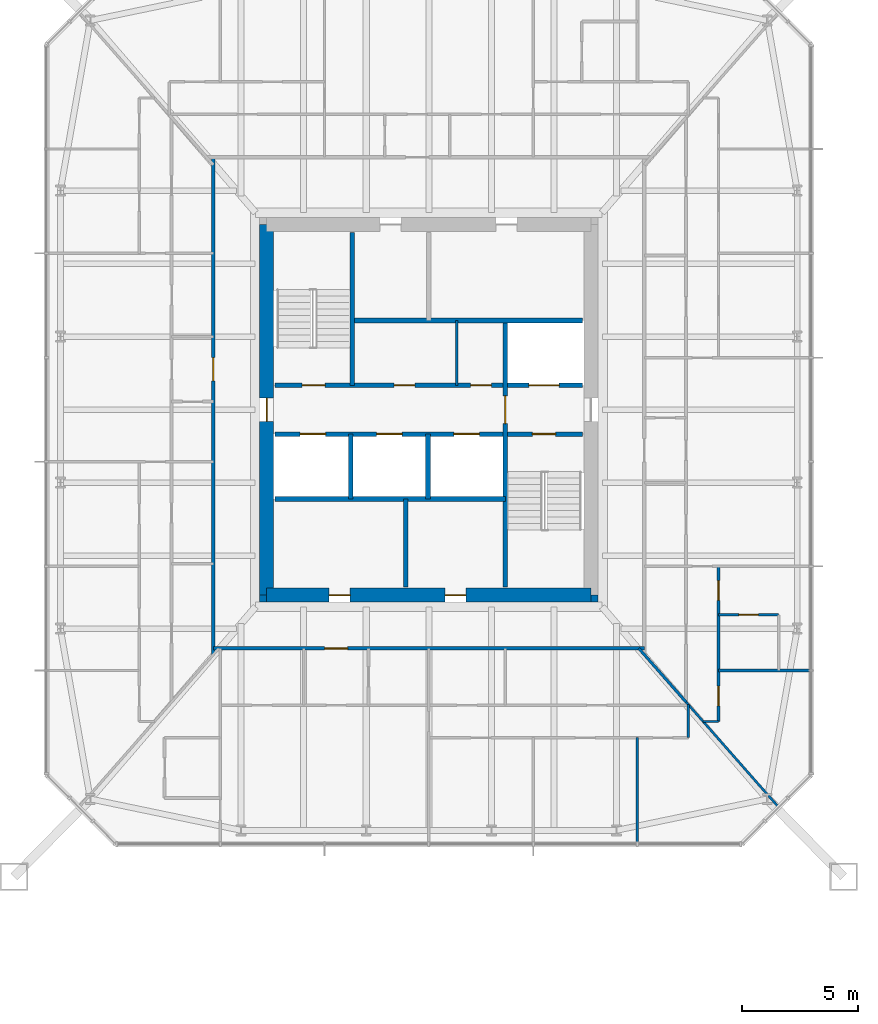
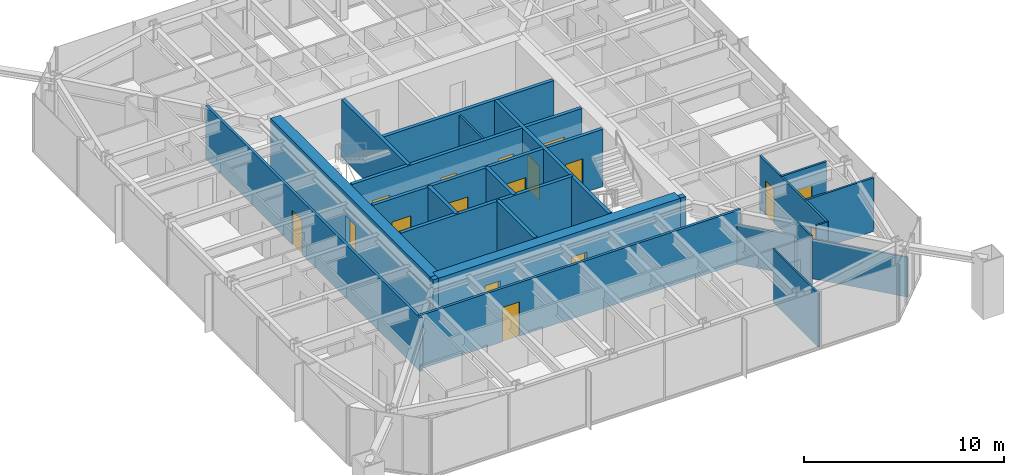
# One storey, part 19 of 26: 24 walls, 17 doors, 17 openings.
"""IFC4 building model written with IfcOpenShell, lengths in metres."""

from ifc_helpers import new_model, si_unit, direction, frame, frame_2d, origin, place, context, subcontext, project, spatial, rectangle, extrude, material, layer, layer_set, type_object, element, fill, save


model = new_model("IFC4")

# Units and contexts
model_context = context("Model", 3, precision=1e-05, world=origin(), true_north=direction((0.0, 1.0)))
body_context = subcontext(model_context, "Body", "Model", "MODEL_VIEW")
ifc_project = project(units=[si_unit("LENGTHUNIT", "METRE"), si_unit("AREAUNIT", "SQUARE_METRE"), si_unit("VOLUMEUNIT", "CUBIC_METRE"), si_unit("PLANEANGLEUNIT", "RADIAN"), si_unit("MASSUNIT", "GRAM", prefix="KILO")], contexts=[model_context])

# Site, building, storey
site_placement = place(None, origin())
site = spatial("IfcSite", under=ifc_project, at=site_placement, CompositionType="ELEMENT")
building_placement = place(site_placement, origin())
building = spatial("IfcBuilding", under=site, at=building_placement, Name="Iwan Alto Co-Living Towers", CompositionType="ELEMENT")
storey_placement = place(building_placement, frame((0.0, 0.0, 36.0)))
storey = spatial("IfcBuildingStorey", under=building, at=storey_placement, Name="L09", CompositionType="ELEMENT", Elevation=36.0)

# Wall, opening, door
ifc_material_1 = material(Name="Gypsum board")
ifc_layer_1 = layer(ifc_material_1, 0.02490234375, Name="Board", Category="Finish")
ifc_material_2 = material(Name="Steel ASTM A1003 ST33H cold-formed studs", Category="steel")
ifc_layer_2 = layer(ifc_material_2, 0.10009765625, Name="Studs", Category="Framing")
ifc_layer_3 = layer(ifc_material_1, 0.02490234375, Name="Board", Category="Finish")
ifc_layer_set_1 = layer_set([ifc_layer_1, ifc_layer_2, ifc_layer_3], Name="CORRIDOR WALL 150")
wall_type_1 = type_object("IfcWallType", Name="CORRIDOR WALL 150", PredefinedType="PARTITIONING", material=ifc_layer_set_1)
wall_1_placement = place(storey_placement, frame((53.699951171875, -10.300048828125, 0.0), z_axis=(0.0, 0.0, 1.0), x_axis=(1.0, 0.0, 0.0)))
wall_1 = element("IfcWall", 1, at=wall_1_placement, inside=storey, type_object=wall_type_1, Name="Partition L09", PredefinedType="PARTITIONING", context=body_context, shape_type="SweptSolid", body=[
    extrude(rectangle(XDim=18.60009765625, YDim=0.14990234375, at=frame_2d((9.300048828125, 0.0))), origin(), (0.0, 0.0, 1.0), 3.27001953125),
])
opening_1_placement = place(wall_1_placement, frame((4.800048828125, 0.0, 0.0)))
opening_1 = element("IfcOpeningElement", 2, at=opening_1_placement, cuts=wall_1, Name="Opening D3", PredefinedType="OPENING", context=body_context, shape_type="SweptSolid", body=[
    extrude(rectangle(XDim=1.0, YDim=2.10009765625, at=frame_2d((0.5, 1.050048828125))), frame((0.0, 0.0849609375, 0.0), z_axis=(0.0, -1.0, 0.0), x_axis=(1.0, 0.0, 0.0)), (0.0, 0.0, 1.0), 0.169921875),
])
ifc_material_3 = material(Name="Steel frame with timber leaf", Category="steel")
door_type_1 = type_object("IfcDoorType", Name="FLAT ENTRANCE DOOR FD30S 1000X2100", OperationType="SINGLE_SWING_LEFT", PredefinedType="DOOR", material=ifc_material_3)
door_1_placement = place(opening_1_placement, frame((1.0, 0.0, 0.0), z_axis=(0.0, 0.0, 1.0), x_axis=(-1.0, 0.0, 0.0)))
door_1 = element("IfcDoor", 3, at=door_1_placement, inside=storey, type_object=door_type_1, Name="Apartment foyer door L09", OperationType="SINGLE_SWING_RIGHT", OverallHeight=2.10009765625, OverallWidth=1.0, PredefinedType="DOOR", context=body_context, shape_type="SweptSolid", body=[
    extrude(rectangle(XDim=1.0, YDim=2.10009765625, at=frame_2d((0.5, 1.050048828125))), frame((0.0, 0.02490234375, 0.0), z_axis=(0.0, -1.0, 0.0), x_axis=(1.0, 0.0, 0.0)), (0.0, 0.0, 1.0), 0.050048828125),
])
fill(opening_1, door_1)

wall_2_placement = place(storey_placement, frame((53.699951171875, -10.568115234375, 0.0), z_axis=(0.0, 0.0, 1.0), x_axis=(0.0, 1.0, 0.0)))
wall_2 = element("IfcWall", 4, at=wall_2_placement, inside=storey, type_object=wall_type_1, Name="Partition L09", PredefinedType="PARTITIONING", context=body_context, shape_type="SweptSolid", body=[
    extrude(rectangle(XDim=21.468017578125, YDim=0.14990234375, at=frame_2d((10.73388671875, 0.0))), origin(), (0.0, 0.0, 1.0), 3.27001953125),
])
opening_2_placement = place(wall_2_placement, frame((11.818115234375, 0.0, 0.0)))
opening_2 = element("IfcOpeningElement", 5, at=opening_2_placement, cuts=wall_2, Name="Opening D3", PredefinedType="OPENING", context=body_context, shape_type="SweptSolid", body=[
    extrude(rectangle(XDim=1.0, YDim=2.10009765625, at=frame_2d((0.5, 1.050048828125))), frame((0.0, 0.0849609375, 0.0), z_axis=(0.0, -1.0, 0.0), x_axis=(1.0, 0.0, 0.0)), (0.0, 0.0, 1.0), 0.169921875),
])
door_2_placement = place(opening_2_placement, origin())
door_2 = element("IfcDoor", 6, at=door_2_placement, inside=storey, type_object=door_type_1, Name="Apartment foyer door L09", OperationType="SINGLE_SWING_LEFT", OverallHeight=2.10009765625, OverallWidth=1.0, PredefinedType="DOOR", context=body_context, shape_type="SweptSolid", body=[
    extrude(rectangle(XDim=1.0, YDim=2.10009765625, at=frame_2d((0.5, 1.050048828125))), frame((0.0, 0.02490234375, 0.0), z_axis=(0.0, -1.0, 0.0), x_axis=(1.0, 0.0, 0.0)), (0.0, 0.0, 1.0), 0.050048828125),
])
fill(opening_2, door_2)

# Walls
ifc_layer_4 = layer(ifc_material_1, 0.012451171875, Name="Board", Category="Finish")
ifc_layer_5 = layer(ifc_material_2, 0.074951171875, Name="Studs", Category="Framing")
ifc_layer_6 = layer(ifc_material_1, 0.012451171875, Name="Board", Category="Finish")
ifc_layer_set_2 = layer_set([ifc_layer_4, ifc_layer_5, ifc_layer_6], Name="PARTITION 100")
wall_type_2 = type_object("IfcWallType", Name="PARTITION 100", PredefinedType="PARTITIONING", material=ifc_layer_set_2)
wall_3_placement = place(storey_placement, frame((74.8359375, -13.449951171875, 0.0), z_axis=(0.0, 0.0, 1.0), x_axis=(1.0, 0.0, 0.0)))
element("IfcWall", 7, at=wall_3_placement, inside=storey, type_object=wall_type_2, Name="Partition L09", PredefinedType="PARTITIONING", context=body_context, shape_type="SweptSolid", body=[
    extrude(rectangle(XDim=0.6640625, YDim=0.10009765625, at=frame_2d((0.33203125, 0.0))), origin(), (0.0, 0.0, 1.0), 3.27001953125),
])
wall_4_placement = place(storey_placement, frame((74.199951171875, -14.14990234375, 0.0), z_axis=(0.0, 0.0, 1.0), x_axis=(0.0, 1.0, 0.0)))
element("IfcWall", 8, at=wall_4_placement, inside=storey, type_object=wall_type_2, Name="Partition L09", PredefinedType="PARTITIONING", context=body_context, shape_type="SweptSolid", body=[
    extrude(rectangle(XDim=1.4228515625, YDim=0.10009765625, at=frame_2d((0.71142578125, 0.0))), origin(), (0.0, 0.0, 1.0), 3.27001953125),
])
wall_5_placement = place(storey_placement, frame((72.0, -18.68994140625, 0.0), z_axis=(0.0, 0.0, 1.0), x_axis=(0.0, 1.0, 0.0)))
element("IfcWall", 9, at=wall_5_placement, inside=storey, type_object=wall_type_2, Name="Partition L09", PredefinedType="PARTITIONING", context=body_context, shape_type="SweptSolid", body=[
    extrude(rectangle(XDim=4.5400390625, YDim=0.10009765625, at=frame_2d((2.27001953125, 0.0))), origin(), (0.0, 0.0, 1.0), 3.27001953125),
])
wall_6_placement = place(storey_placement, frame((64.199951171875, 1.050048828125, 0.0), z_axis=(0.0, 0.0, 1.0), x_axis=(0.0, 1.0, 0.0)))
element("IfcWall", 10, at=wall_6_placement, inside=storey, type_object=wall_type_2, Name="Partition L09", PredefinedType="PARTITIONING", context=body_context, shape_type="SweptSolid", body=[
    extrude(rectangle(XDim=2.800048828125, YDim=0.10009765625, at=frame_2d((1.39990234375, 0.0))), origin(), (0.0, 0.0, 1.0), 3.300048828125),
])
wall_7_placement = place(storey_placement, frame((78.056884765625, -17.10888671875, 0.0), z_axis=(0.0, 0.0, 1.0), x_axis=(-0.660775837956, 0.750583301156, 0.0)))
element("IfcWall", 11, at=wall_7_placement, inside=storey, type_object=wall_type_2, Name="Partition L09", PredefinedType="PARTITIONING", context=body_context, shape_type="SweptSolid", body=[
    extrude(rectangle(XDim=5.98876953125, YDim=0.10009765625, at=frame_2d((2.994384765625, 0.0))), origin(), (0.0, 0.0, 1.0), 2.42919921875),
])
ifc_material_4 = material(Name="Concrete f'c 70 MPa", Category="concrete")
ifc_layer_7 = layer(ifc_material_4, 0.199951171875)
ifc_layer_set_3 = layer_set([ifc_layer_7], Name="SHAFT WALL 200")
wall_type_3 = type_object("IfcWallType", Name="SHAFT WALL 200", PredefinedType="SOLIDWALL", material=ifc_layer_set_3)
wall_8_placement = place(storey_placement, frame((56.360107421875, -3.85009765625, 0.0), z_axis=(0.0, 0.0, 1.0), x_axis=(1.0, 0.0, 0.0)))
element("IfcWall", 12, at=wall_8_placement, inside=storey, type_object=wall_type_3, Name="Shaft wall L09", PredefinedType="SOLIDWALL", context=body_context, shape_type="SweptSolid", body=[
    extrude(rectangle(XDim=9.93994140625, YDim=0.199951171875, at=frame_2d((4.969970703125, 0.0))), origin(), (0.0, 0.0, 1.0), 3.5),
])

# Wall, openings, doors
wall_9_placement = place(storey_placement, frame((56.360107421875, -1.050048828125, 0.0), z_axis=(0.0, 0.0, 1.0), x_axis=(1.0, 0.0, 0.0)))
wall_9 = element("IfcWall", 13, at=wall_9_placement, inside=storey, type_object=wall_type_3, Name="Shaft wall L09", PredefinedType="SOLIDWALL", context=body_context, shape_type="SweptSolid", body=[
    extrude(rectangle(XDim=13.27978515625, YDim=0.199951171875, at=frame_2d((6.639892578125, 0.0))), origin(), (0.0, 0.0, 1.0), 3.5),
])
opening_3_placement = place(wall_9_placement, frame((11.110107421875, 0.0, 0.0)))
opening_3 = element("IfcOpeningElement", 14, at=opening_3_placement, cuts=wall_9, Name="Opening D5", PredefinedType="OPENING", context=body_context, shape_type="SweptSolid", body=[
    extrude(rectangle(XDim=1.0, YDim=2.10009765625, at=frame_2d((0.5, 1.050048828125))), frame((0.0, 0.10986328125, 0.0), z_axis=(0.0, -1.0, 0.0), x_axis=(1.0, 0.0, 0.0)), (0.0, 0.0, 1.0), 0.219970703125),
])
opening_4_placement = place(wall_9_placement, frame((1.0869140625, 0.0, 0.0)))
opening_4 = element("IfcOpeningElement", 15, at=opening_4_placement, cuts=wall_9, Name="Opening LD", PredefinedType="OPENING", context=body_context, shape_type="SweptSolid", body=[
    extrude(rectangle(XDim=1.10009765625, YDim=2.10009765625, at=frame_2d((0.550048828125, 1.050048828125))), frame((0.0, 0.10986328125, 0.0), z_axis=(0.0, -1.0, 0.0), x_axis=(1.0, 0.0, 0.0)), (0.0, 0.0, 1.0), 0.219970703125),
])
opening_5_placement = place(wall_9_placement, frame((4.389892578125, 0.0, 0.0)))
opening_5 = element("IfcOpeningElement", 16, at=opening_5_placement, cuts=wall_9, Name="Opening LD", PredefinedType="OPENING", context=body_context, shape_type="SweptSolid", body=[
    extrude(rectangle(XDim=1.10009765625, YDim=2.10009765625, at=frame_2d((0.550048828125, 1.050048828125))), frame((0.0, 0.10986328125, 0.0), z_axis=(0.0, -1.0, 0.0), x_axis=(1.0, 0.0, 0.0)), (0.0, 0.0, 1.0), 0.219970703125),
])
opening_6_placement = place(wall_9_placement, frame((7.72412109375, 0.0, 0.0)))
opening_6 = element("IfcOpeningElement", 17, at=opening_6_placement, cuts=wall_9, Name="Opening LD", PredefinedType="OPENING", context=body_context, shape_type="SweptSolid", body=[
    extrude(rectangle(XDim=1.10009765625, YDim=2.10009765625, at=frame_2d((0.550048828125, 1.050048828125))), frame((0.0, 0.10986328125, 0.0), z_axis=(0.0, -1.0, 0.0), x_axis=(1.0, 0.0, 0.0)), (0.0, 0.0, 1.0), 0.219970703125),
])
ifc_material_5 = material(Name="Steel frame with timber leaf", Category="steel")
door_type_2 = type_object("IfcDoorType", Name="LIFT LANDING DOOR 1100X2100", OperationType="DOUBLE_DOOR_SLIDING", PredefinedType="DOOR", material=ifc_material_5)
door_3_placement = place(opening_4_placement, origin())
door_3 = element("IfcDoor", 18, at=door_3_placement, inside=storey, type_object=door_type_2, Name="Lift P5-1 landing door L09", OperationType="DOUBLE_DOOR_SLIDING", OverallHeight=2.10009765625, OverallWidth=1.10009765625, PredefinedType="DOOR", context=body_context, shape_type="SweptSolid", body=[
    extrude(rectangle(XDim=1.10009765625, YDim=2.10009765625, at=frame_2d((0.550048828125, 1.050048828125))), frame((0.0, 0.02490234375, 0.0), z_axis=(0.0, -1.0, 0.0), x_axis=(1.0, 0.0, 0.0)), (0.0, 0.0, 1.0), 0.050048828125),
])
fill(opening_4, door_3)
door_4_placement = place(opening_5_placement, origin())
door_4 = element("IfcDoor", 19, at=door_4_placement, inside=storey, type_object=door_type_2, Name="Lift P5-2 landing door L09", OperationType="DOUBLE_DOOR_SLIDING", OverallHeight=2.10009765625, OverallWidth=1.10009765625, PredefinedType="DOOR", context=body_context, shape_type="SweptSolid", body=[
    extrude(rectangle(XDim=1.10009765625, YDim=2.10009765625, at=frame_2d((0.550048828125, 1.050048828125))), frame((0.0, 0.02490234375, 0.0), z_axis=(0.0, -1.0, 0.0), x_axis=(1.0, 0.0, 0.0)), (0.0, 0.0, 1.0), 0.050048828125),
])
fill(opening_5, door_4)
door_5_placement = place(opening_6_placement, origin())
door_5 = element("IfcDoor", 20, at=door_5_placement, inside=storey, type_object=door_type_2, Name="Lift P6-3 landing door L09", OperationType="DOUBLE_DOOR_SLIDING", OverallHeight=2.10009765625, OverallWidth=1.10009765625, PredefinedType="DOOR", context=body_context, shape_type="SweptSolid", body=[
    extrude(rectangle(XDim=1.10009765625, YDim=2.10009765625, at=frame_2d((0.550048828125, 1.050048828125))), frame((0.0, 0.02490234375, 0.0), z_axis=(0.0, -1.0, 0.0), x_axis=(1.0, 0.0, 0.0)), (0.0, 0.0, 1.0), 0.050048828125),
])
fill(opening_6, door_5)
ifc_material_6 = material(Name="Steel frame with timber leaf", Category="steel")
door_type_3 = type_object("IfcDoorType", Name="STAIR DOOR FD120S 1000X2100", OperationType="SINGLE_SWING_LEFT", PredefinedType="DOOR", material=ifc_material_6)
door_6_placement = place(opening_3_placement, frame((1.0, 0.0, 0.0), z_axis=(0.0, 0.0, 1.0), x_axis=(-1.0, 0.0, 0.0)))
door_6 = element("IfcDoor", 21, at=door_6_placement, inside=storey, type_object=door_type_3, Name="Stair S2 door L09", OperationType="SINGLE_SWING_RIGHT", OverallHeight=2.10009765625, OverallWidth=1.0, PredefinedType="DOOR", context=body_context, shape_type="SweptSolid", body=[
    extrude(rectangle(XDim=1.0, YDim=2.10009765625, at=frame_2d((0.5, 1.050048828125))), frame((0.0, 0.02490234375, 0.0), z_axis=(0.0, -1.0, 0.0), x_axis=(1.0, 0.0, 0.0)), (0.0, 0.0, 1.0), 0.050048828125),
])
fill(opening_3, door_6)

wall_10_placement = place(storey_placement, frame((56.360107421875, 1.050048828125, 0.0), z_axis=(0.0, 0.0, 1.0), x_axis=(1.0, 0.0, 0.0)))
wall_10 = element("IfcWall", 22, at=wall_10_placement, inside=storey, type_object=wall_type_3, Name="Shaft wall L09", PredefinedType="SOLIDWALL", context=body_context, shape_type="SweptSolid", body=[
    extrude(rectangle(XDim=13.27978515625, YDim=0.199951171875, at=frame_2d((6.639892578125, 0.0))), origin(), (0.0, 0.0, 1.0), 3.5),
])
opening_7_placement = place(wall_10_placement, frame((1.169921875, 0.0, 0.0)))
opening_7 = element("IfcOpeningElement", 23, at=opening_7_placement, cuts=wall_10, Name="Opening D5", PredefinedType="OPENING", context=body_context, shape_type="SweptSolid", body=[
    extrude(rectangle(XDim=1.0, YDim=2.10009765625, at=frame_2d((0.5, 1.050048828125))), frame((0.0, 0.10986328125, 0.0), z_axis=(0.0, -1.0, 0.0), x_axis=(1.0, 0.0, 0.0)), (0.0, 0.0, 1.0), 0.219970703125),
])
opening_8_placement = place(wall_10_placement, frame((5.139892578125, 0.0, 0.0)))
opening_8 = element("IfcOpeningElement", 24, at=opening_8_placement, cuts=wall_10, Name="Opening D8", PredefinedType="OPENING", context=body_context, shape_type="SweptSolid", body=[
    extrude(rectangle(XDim=0.89990234375, YDim=2.10009765625, at=frame_2d((0.449951171875, 1.050048828125))), frame((0.0, 0.10986328125, 0.0), z_axis=(0.0, -1.0, 0.0), x_axis=(1.0, 0.0, 0.0)), (0.0, 0.0, 1.0), 0.219970703125),
])
opening_9_placement = place(wall_10_placement, frame((8.43994140625, 0.0, 0.0)))
opening_9 = element("IfcOpeningElement", 25, at=opening_9_placement, cuts=wall_10, Name="Opening D15", PredefinedType="OPENING", context=body_context, shape_type="SweptSolid", body=[
    extrude(rectangle(XDim=0.89990234375, YDim=2.10009765625, at=frame_2d((0.449951171875, 1.050048828125))), frame((0.0, 0.10986328125, 0.0), z_axis=(0.0, -1.0, 0.0), x_axis=(1.0, 0.0, 0.0)), (0.0, 0.0, 1.0), 0.219970703125),
])
opening_10_placement = place(wall_10_placement, frame((10.9599609375, 0.0, 0.0)))
opening_10 = element("IfcOpeningElement", 26, at=opening_10_placement, cuts=wall_10, Name="Opening LD2", PredefinedType="OPENING", context=body_context, shape_type="SweptSolid", body=[
    extrude(rectangle(XDim=1.300048828125, YDim=2.10009765625, at=frame_2d((0.64990234375, 1.050048828125))), frame((0.0, 0.10986328125, 0.0), z_axis=(0.0, -1.0, 0.0), x_axis=(1.0, 0.0, 0.0)), (0.0, 0.0, 1.0), 0.219970703125),
])
ifc_material_7 = material(Name="Steel frame with timber leaf", Category="steel")
door_type_4 = type_object("IfcDoorType", Name="CORE ROOM DOOR FD60S 900X2100", OperationType="SINGLE_SWING_LEFT", PredefinedType="DOOR", material=ifc_material_7)
door_7_placement = place(opening_9_placement, origin())
door_7 = element("IfcDoor", 27, at=door_7_placement, inside=storey, type_object=door_type_4, Name="Housekeeping store door L09", OperationType="SINGLE_SWING_LEFT", OverallHeight=2.10009765625, OverallWidth=0.89990234375, PredefinedType="DOOR", context=body_context, shape_type="SweptSolid", body=[
    extrude(rectangle(XDim=0.89990234375, YDim=2.10009765625, at=frame_2d((0.449951171875, 1.050048828125))), frame((0.0, 0.02490234375, 0.0), z_axis=(0.0, -1.0, 0.0), x_axis=(1.0, 0.0, 0.0)), (0.0, 0.0, 1.0), 0.050048828125),
])
fill(opening_9, door_7)
ifc_material_8 = material(Name="Steel frame with timber leaf", Category="steel")
door_type_5 = type_object("IfcDoorType", Name="LIFT LANDING DOOR 1300X2100", OperationType="SLIDING_TO_LEFT", PredefinedType="DOOR", material=ifc_material_8)
door_8_placement = place(opening_10_placement, origin())
door_8 = element("IfcDoor", 28, at=door_8_placement, inside=storey, type_object=door_type_5, Name="Lift FL2 landing door L09", OperationType="SLIDING_TO_LEFT", OverallHeight=2.10009765625, OverallWidth=1.300048828125, PredefinedType="DOOR", context=body_context, shape_type="SweptSolid", body=[
    extrude(rectangle(XDim=1.300048828125, YDim=2.10009765625, at=frame_2d((0.64990234375, 1.050048828125))), frame((0.0, 0.02490234375, 0.0), z_axis=(0.0, -1.0, 0.0), x_axis=(1.0, 0.0, 0.0)), (0.0, 0.0, 1.0), 0.050048828125),
])
fill(opening_10, door_8)
ifc_material_9 = material(Name="Steel frame with timber leaf", Category="steel")
door_type_6 = type_object("IfcDoorType", Name="RISER DOOR FD120 900X2100", OperationType="SINGLE_SWING_LEFT", PredefinedType="DOOR", material=ifc_material_9)
door_9_placement = place(opening_8_placement, origin())
door_9 = element("IfcDoor", 29, at=door_9_placement, inside=storey, type_object=door_type_6, Name="Riser room door L09", OperationType="SINGLE_SWING_LEFT", OverallHeight=2.10009765625, OverallWidth=0.89990234375, PredefinedType="DOOR", context=body_context, shape_type="SweptSolid", body=[
    extrude(rectangle(XDim=0.89990234375, YDim=2.10009765625, at=frame_2d((0.449951171875, 1.050048828125))), frame((0.0, 0.02490234375, 0.0), z_axis=(0.0, -1.0, 0.0), x_axis=(1.0, 0.0, 0.0)), (0.0, 0.0, 1.0), 0.050048828125),
])
fill(opening_8, door_9)
door_10_placement = place(opening_7_placement, origin())
door_10 = element("IfcDoor", 30, at=door_10_placement, inside=storey, type_object=door_type_3, Name="Stair S1 door L09", OperationType="SINGLE_SWING_RIGHT", OverallHeight=2.10009765625, OverallWidth=1.0, PredefinedType="DOOR", context=body_context, shape_type="SweptSolid", body=[
    extrude(rectangle(XDim=1.0, YDim=2.10009765625, at=frame_2d((0.5, 1.050048828125))), frame((0.0, 0.02490234375, 0.0), z_axis=(0.0, -1.0, 0.0), x_axis=(1.0, 0.0, 0.0)), (0.0, 0.0, 1.0), 0.050048828125),
])
fill(opening_7, door_10)

# Wall
wall_11_placement = place(storey_placement, frame((59.699951171875, 3.85009765625, 0.0), z_axis=(0.0, 0.0, 1.0), x_axis=(1.0, 0.0, 0.0)))
element("IfcWall", 31, at=wall_11_placement, inside=storey, type_object=wall_type_3, Name="Shaft wall L09", PredefinedType="SOLIDWALL", context=body_context, shape_type="SweptSolid", body=[
    extrude(rectangle(XDim=9.93994140625, YDim=0.199951171875, at=frame_2d((4.969970703125, 0.0))), origin(), (0.0, 0.0, 1.0), 3.5),
])

# Wall, opening, door
wall_12_placement = place(storey_placement, frame((66.300048828125, -7.639892578125, 0.0), z_axis=(0.0, 0.0, 1.0), x_axis=(0.0, 1.0, 0.0)))
wall_12 = element("IfcWall", 32, at=wall_12_placement, inside=storey, type_object=wall_type_3, Name="Shaft wall L09", PredefinedType="SOLIDWALL", context=body_context, shape_type="SweptSolid", body=[
    extrude(rectangle(XDim=11.489990234375, YDim=0.199951171875, at=frame_2d((5.7451171875, 0.0))), origin(), (0.0, 0.0, 1.0), 3.5),
])
opening_11_placement = place(wall_12_placement, frame((7.0400390625, 0.0, 0.0)))
opening_11 = element("IfcOpeningElement", 33, at=opening_11_placement, cuts=wall_12, Name="Opening D6", PredefinedType="OPENING", context=body_context, shape_type="SweptSolid", body=[
    extrude(rectangle(XDim=1.199951171875, YDim=2.10009765625, at=frame_2d((0.60009765625, 1.050048828125))), frame((0.0, 0.10986328125, 0.0), z_axis=(0.0, -1.0, 0.0), x_axis=(1.0, 0.0, 0.0)), (0.0, 0.0, 1.0), 0.219970703125),
])
ifc_material_10 = material(Name="Steel frame with timber leaf", Category="steel")
door_type_7 = type_object("IfcDoorType", Name="LOBBY DOOR FD120S 1200X2100", OperationType="SINGLE_SWING_LEFT", PredefinedType="DOOR", material=ifc_material_10)
door_11_placement = place(opening_11_placement, frame((1.199951171875, 0.0, 0.0), z_axis=(0.0, 0.0, 1.0), x_axis=(-1.0, 0.0, 0.0)))
door_11 = element("IfcDoor", 34, at=door_11_placement, inside=storey, type_object=door_type_7, Name="Firefighting lobby door L09", OperationType="SINGLE_SWING_RIGHT", OverallHeight=2.10009765625, OverallWidth=1.199951171875, PredefinedType="DOOR", context=body_context, shape_type="SweptSolid", body=[
    extrude(rectangle(XDim=1.199951171875, YDim=2.10009765625, at=frame_2d((0.60009765625, 1.050048828125))), frame((0.0, 0.02490234375, 0.0), z_axis=(0.0, -1.0, 0.0), x_axis=(1.0, 0.0, 0.0)), (0.0, 0.0, 1.0), 0.050048828125),
])
fill(opening_11, door_11)

# Walls
wall_13_placement = place(storey_placement, frame((62.967041015625, -3.85009765625, 0.0), z_axis=(0.0, 0.0, 1.0), x_axis=(0.0, 1.0, 0.0)))
element("IfcWall", 35, at=wall_13_placement, inside=storey, type_object=wall_type_3, Name="Shaft wall L09", PredefinedType="SOLIDWALL", context=body_context, shape_type="SweptSolid", body=[
    extrude(rectangle(XDim=2.800048828125, YDim=0.199951171875, at=frame_2d((1.39990234375, 0.0))), origin(), (0.0, 0.0, 1.0), 3.5),
])
wall_14_placement = place(storey_placement, frame((62.0, -7.639892578125, 0.0), z_axis=(0.0, 0.0, 1.0), x_axis=(0.0, 1.0, 0.0)))
element("IfcWall", 36, at=wall_14_placement, inside=storey, type_object=wall_type_3, Name="Shaft wall L09", PredefinedType="SOLIDWALL", context=body_context, shape_type="SweptSolid", body=[
    extrude(rectangle(XDim=3.789794921875, YDim=0.199951171875, at=frame_2d((1.89501953125, 0.0))), origin(), (0.0, 0.0, 1.0), 3.5),
])
wall_15_placement = place(storey_placement, frame((59.699951171875, 1.050048828125, 0.0), z_axis=(0.0, 0.0, 1.0), x_axis=(0.0, 1.0, 0.0)))
element("IfcWall", 37, at=wall_15_placement, inside=storey, type_object=wall_type_3, Name="Shaft wall L09", PredefinedType="SOLIDWALL", context=body_context, shape_type="SweptSolid", body=[
    extrude(rectangle(XDim=6.58984375, YDim=0.199951171875, at=frame_2d((3.294921875, 0.0))), origin(), (0.0, 0.0, 1.0), 3.5),
])
wall_16_placement = place(storey_placement, frame((59.633056640625, -3.85009765625, 0.0), z_axis=(0.0, 0.0, 1.0), x_axis=(0.0, 1.0, 0.0)))
element("IfcWall", 38, at=wall_16_placement, inside=storey, type_object=wall_type_3, Name="Shaft wall L09", PredefinedType="SOLIDWALL", context=body_context, shape_type="SweptSolid", body=[
    extrude(rectangle(XDim=2.800048828125, YDim=0.199951171875, at=frame_2d((1.39990234375, 0.0))), origin(), (0.0, 0.0, 1.0), 3.5),
])
ifc_material_11 = material(Name="Concrete f'c 70 MPa", Category="concrete")
ifc_layer_8 = layer(ifc_material_11, 0.300048828125)
ifc_layer_set_4 = layer_set([ifc_layer_8], Name="T2 CORE CORNER FILL 300")
wall_type_4 = type_object("IfcWallType", Name="T2 CORE CORNER FILL 300", PredefinedType="SOLIDWALL", material=ifc_layer_set_4)
for number, where, z_axis, x_axis, name in (
    (39, (55.699951171875, -8.14990234375, 0.0), (0.0, 0.0, 1.0), (1.0, 0.0, 0.0), "T2 core corner SW L09"),
    (40, (70.0, -8.14990234375, 0.0), (0.0, 0.0, 1.0), (1.0, 0.0, 0.0), "T2 core corner SE L09"),
):
    element("IfcWall", number, at=place(storey_placement, frame(where, z_axis=z_axis, x_axis=x_axis)), inside=storey, type_object=wall_type_4, Name=name, PredefinedType="SOLIDWALL", context=body_context, shape_type="SweptSolid", body=[
        extrude(rectangle(XDim=0.300048828125, YDim=0.300048828125, at=frame_2d((0.14990234375, 0.0))), origin(), (0.0, 0.0, 1.0), 3.5),
    ])

# Wall, openings, doors
ifc_material_12 = material(Name="Concrete f'c 70 MPa", Category="concrete")
ifc_layer_9 = layer(ifc_material_12, 0.60009765625)
ifc_layer_set_5 = layer_set([ifc_layer_9], Name="T2 CORE WALL 600")
wall_type_5 = type_object("IfcWallType", Name="T2 CORE WALL 600", PredefinedType="SHEAR", material=ifc_layer_set_5)
wall_17_placement = place(storey_placement, frame((56.0, -8.0, 0.0), z_axis=(0.0, 0.0, 1.0), x_axis=(1.0, 0.0, 0.0)))
wall_17 = element("IfcWall", 41, at=wall_17_placement, inside=storey, type_object=wall_type_5, Name="T2 core wall S L09", PredefinedType="SHEAR", context=body_context, shape_type="SweptSolid", body=[
    extrude(rectangle(XDim=14.0, YDim=0.60009765625, at=frame_2d((7.0, 0.0))), origin(), (0.0, 0.0, 1.0), 3.5),
])
opening_12_placement = place(wall_17_placement, frame((2.699951171875, 0.0, 0.0)))
opening_12 = element("IfcOpeningElement", 42, at=opening_12_placement, cuts=wall_17, Name="Opening D8", PredefinedType="OPENING", context=body_context, shape_type="SweptSolid", body=[
    extrude(rectangle(XDim=0.89990234375, YDim=2.10009765625, at=frame_2d((0.449951171875, 1.050048828125))), frame((0.0, 0.31005859375, 0.0), z_axis=(0.0, -1.0, 0.0), x_axis=(1.0, 0.0, 0.0)), (0.0, 0.0, 1.0), 0.6201171875),
])
opening_13_placement = place(wall_17_placement, frame((7.699951171875, 0.0, 0.0)))
opening_13 = element("IfcOpeningElement", 43, at=opening_13_placement, cuts=wall_17, Name="Opening D8", PredefinedType="OPENING", context=body_context, shape_type="SweptSolid", body=[
    extrude(rectangle(XDim=0.89990234375, YDim=2.10009765625, at=frame_2d((0.449951171875, 1.050048828125))), frame((0.0, 0.31005859375, 0.0), z_axis=(0.0, -1.0, 0.0), x_axis=(1.0, 0.0, 0.0)), (0.0, 0.0, 1.0), 0.6201171875),
])
door_12_placement = place(opening_12_placement, origin())
door_12 = element("IfcDoor", 44, at=door_12_placement, inside=storey, type_object=door_type_6, Name="Refuse room core door L09", OperationType="SINGLE_SWING_LEFT", OverallHeight=2.10009765625, OverallWidth=0.89990234375, PredefinedType="DOOR", context=body_context, shape_type="SweptSolid", body=[
    extrude(rectangle(XDim=0.89990234375, YDim=2.10009765625, at=frame_2d((0.449951171875, 1.050048828125))), frame((0.0, 0.02490234375, 0.0), z_axis=(0.0, -1.0, 0.0), x_axis=(1.0, 0.0, 0.0)), (0.0, 0.0, 1.0), 0.050048828125),
])
fill(opening_12, door_12)
door_13_placement = place(opening_13_placement, origin())
door_13 = element("IfcDoor", 45, at=door_13_placement, inside=storey, type_object=door_type_6, Name="Telecom riser core door L09", OperationType="SINGLE_SWING_LEFT", OverallHeight=2.10009765625, OverallWidth=0.89990234375, PredefinedType="DOOR", context=body_context, shape_type="SweptSolid", body=[
    extrude(rectangle(XDim=0.89990234375, YDim=2.10009765625, at=frame_2d((0.449951171875, 1.050048828125))), frame((0.0, 0.02490234375, 0.0), z_axis=(0.0, -1.0, 0.0), x_axis=(1.0, 0.0, 0.0)), (0.0, 0.0, 1.0), 0.050048828125),
])
fill(opening_13, door_13)

# Wall, opening, door
wall_18_placement = place(storey_placement, frame((56.0, 8.0, 0.0), z_axis=(0.0, 0.0, 1.0), x_axis=(0.0, -1.0, 0.0)))
wall_18 = element("IfcWall", 46, at=wall_18_placement, inside=storey, type_object=wall_type_5, Name="T2 core wall W L09", PredefinedType="SHEAR", context=body_context, shape_type="SweptSolid", body=[
    extrude(rectangle(XDim=16.0, YDim=0.60009765625, at=frame_2d((8.0, 0.0))), origin(), (0.0, 0.0, 1.0), 3.5),
])
opening_14_placement = place(wall_18_placement, frame((7.5, 0.0, 0.0)))
opening_14 = element("IfcOpeningElement", 47, at=opening_14_placement, cuts=wall_18, Name="Opening D7", PredefinedType="OPENING", context=body_context, shape_type="SweptSolid", body=[
    extrude(rectangle(XDim=1.0, YDim=2.10009765625, at=frame_2d((0.5, 1.050048828125))), frame((0.0, 0.31005859375, 0.0), z_axis=(0.0, -1.0, 0.0), x_axis=(1.0, 0.0, 0.0)), (0.0, 0.0, 1.0), 0.6201171875),
])
ifc_material_13 = material(Name="Steel frame with timber leaf", Category="steel")
door_type_8 = type_object("IfcDoorType", Name="CORE DOOR FD120S 1000X2100", OperationType="SINGLE_SWING_LEFT", PredefinedType="DOOR", material=ifc_material_13)
door_14_placement = place(opening_14_placement, origin())
door_14 = element("IfcDoor", 48, at=door_14_placement, inside=storey, type_object=door_type_8, Name="Lift lobby core door L09", OperationType="SINGLE_SWING_RIGHT", OverallHeight=2.10009765625, OverallWidth=1.0, PredefinedType="DOOR", context=body_context, shape_type="SweptSolid", body=[
    extrude(rectangle(XDim=1.0, YDim=2.10009765625, at=frame_2d((0.5, 1.050048828125))), frame((0.0, 0.02490234375, 0.0), z_axis=(0.0, -1.0, 0.0), x_axis=(1.0, 0.0, 0.0)), (0.0, 0.0, 1.0), 0.050048828125),
])
fill(opening_14, door_14)

# Wall
ifc_material_14 = material(Name="Cement board")
ifc_layer_10 = layer(ifc_material_14, 0.012451171875, Name="Board", Category="Finish")
ifc_layer_11 = layer(ifc_material_2, 0.094970703125, Name="Studs", Category="Framing")
ifc_layer_12 = layer(ifc_material_14, 0.012451171875, Name="Board", Category="Finish")
ifc_layer_set_6 = layer_set([ifc_layer_10, ifc_layer_11, ifc_layer_12], Name="WET AREA PARTITION 120")
wall_type_6 = type_object("IfcWallType", Name="WET AREA PARTITION 120", PredefinedType="PARTITIONING", material=ifc_layer_set_6)
wall_19_placement = place(storey_placement, frame((75.5, -11.25, 0.0), z_axis=(0.0, 0.0, 1.0), x_axis=(1.0, 0.0, 0.0)))
element("IfcWall", 49, at=wall_19_placement, inside=storey, type_object=wall_type_6, Name="Partition L09", PredefinedType="PARTITIONING", context=body_context, shape_type="SweptSolid", body=[
    extrude(rectangle(XDim=3.93994140625, YDim=0.1201171875, at=frame_2d((1.969970703125, 0.0))), origin(), (0.0, 0.0, 1.0), 3.27001953125),
])

# Wall, opening, door
wall_20_placement = place(storey_placement, frame((75.5, -8.85009765625, 0.0), z_axis=(0.0, 0.0, 1.0), x_axis=(1.0, 0.0, 0.0)))
wall_20 = element("IfcWall", 50, at=wall_20_placement, inside=storey, type_object=wall_type_6, Name="Partition L09", PredefinedType="PARTITIONING", context=body_context, shape_type="SweptSolid", body=[
    extrude(rectangle(XDim=2.60009765625, YDim=0.1201171875, at=frame_2d((1.300048828125, 0.0))), origin(), (0.0, 0.0, 1.0), 3.27001953125),
])
opening_15_placement = place(wall_20_placement, frame((0.875, 0.0, 0.0)))
opening_15 = element("IfcOpeningElement", 51, at=opening_15_placement, cuts=wall_20, Name="Opening D2", PredefinedType="OPENING", context=body_context, shape_type="SweptSolid", body=[
    extrude(rectangle(XDim=0.85009765625, YDim=2.10009765625, at=frame_2d((0.425048828125, 1.050048828125))), frame((0.0, 0.070068359375, 0.0), z_axis=(0.0, -1.0, 0.0), x_axis=(1.0, 0.0, 0.0)), (0.0, 0.0, 1.0), 0.14013671875),
])
ifc_material_15 = material(Name="Timber leaf in steel frame", Category="steel")
door_type_9 = type_object("IfcDoorType", Name="ROOM DOOR 850X2100", OperationType="SINGLE_SWING_LEFT", PredefinedType="DOOR", material=ifc_material_15)
door_15_placement = place(opening_15_placement, origin())
door_15 = element("IfcDoor", 52, at=door_15_placement, inside=storey, type_object=door_type_9, Name="En-suite shower room door L09", OperationType="SINGLE_SWING_LEFT", OverallHeight=2.10009765625, OverallWidth=0.85009765625, PredefinedType="DOOR", context=body_context, shape_type="SweptSolid", body=[
    extrude(rectangle(XDim=0.85009765625, YDim=2.10009765625, at=frame_2d((0.425048828125, 1.050048828125))), frame((0.0, 0.02490234375, 0.0), z_axis=(0.0, -1.0, 0.0), x_axis=(1.0, 0.0, 0.0)), (0.0, 0.0, 1.0), 0.050048828125),
])
fill(opening_15, door_15)

# Wall, openings, doors
wall_21_placement = place(storey_placement, frame((75.5, -13.449951171875, 0.0), z_axis=(0.0, 0.0, 1.0), x_axis=(0.0, 1.0, 0.0)))
wall_21 = element("IfcWall", 53, at=wall_21_placement, inside=storey, type_object=wall_type_6, Name="Partition L09", PredefinedType="PARTITIONING", context=body_context, shape_type="SweptSolid", body=[
    extrude(rectangle(XDim=6.699951171875, YDim=0.1201171875, at=frame_2d((3.35009765625, 0.0))), origin(), (0.0, 0.0, 1.0), 3.27001953125),
])
opening_16_placement = place(wall_21_placement, frame((5.22509765625, 0.0, 0.0)))
opening_16 = element("IfcOpeningElement", 54, at=opening_16_placement, cuts=wall_21, Name="Opening D2", PredefinedType="OPENING", context=body_context, shape_type="SweptSolid", body=[
    extrude(rectangle(XDim=0.85009765625, YDim=2.10009765625, at=frame_2d((0.425048828125, 1.050048828125))), frame((0.0, 0.070068359375, 0.0), z_axis=(0.0, -1.0, 0.0), x_axis=(1.0, 0.0, 0.0)), (0.0, 0.0, 1.0), 0.14013671875),
])
opening_17_placement = place(wall_21_placement, frame((0.675048828125, 0.0, 0.0)))
opening_17 = element("IfcOpeningElement", 55, at=opening_17_placement, cuts=wall_21, Name="Opening D2", PredefinedType="OPENING", context=body_context, shape_type="SweptSolid", body=[
    extrude(rectangle(XDim=0.85009765625, YDim=2.10009765625, at=frame_2d((0.425048828125, 1.050048828125))), frame((0.0, 0.070068359375, 0.0), z_axis=(0.0, -1.0, 0.0), x_axis=(1.0, 0.0, 0.0)), (0.0, 0.0, 1.0), 0.14013671875),
])
door_16_placement = place(opening_16_placement, frame((0.85009765625, 0.0, 0.0), z_axis=(0.0, 0.0, 1.0), x_axis=(-1.0, 0.0, 0.0)))
door_16 = element("IfcDoor", 56, at=door_16_placement, inside=storey, type_object=door_type_9, Name="Bedroom door L09", OperationType="SINGLE_SWING_RIGHT", OverallHeight=2.10009765625, OverallWidth=0.85009765625, PredefinedType="DOOR", context=body_context, shape_type="SweptSolid", body=[
    extrude(rectangle(XDim=0.85009765625, YDim=2.10009765625, at=frame_2d((0.425048828125, 1.050048828125))), frame((0.0, 0.02490234375, 0.0), z_axis=(0.0, -1.0, 0.0), x_axis=(1.0, 0.0, 0.0)), (0.0, 0.0, 1.0), 0.050048828125),
])
fill(opening_16, door_16)
door_17_placement = place(opening_17_placement, frame((0.85009765625, 0.0, 0.0), z_axis=(0.0, 0.0, 1.0), x_axis=(-1.0, 0.0, 0.0)))
door_17 = element("IfcDoor", 57, at=door_17_placement, inside=storey, type_object=door_type_9, Name="Bedroom door L09", OperationType="SINGLE_SWING_LEFT", OverallHeight=2.10009765625, OverallWidth=0.85009765625, PredefinedType="DOOR", context=body_context, shape_type="SweptSolid", body=[
    extrude(rectangle(XDim=0.85009765625, YDim=2.10009765625, at=frame_2d((0.425048828125, 1.050048828125))), frame((0.0, 0.02490234375, 0.0), z_axis=(0.0, -1.0, 0.0), x_axis=(1.0, 0.0, 0.0)), (0.0, 0.0, 1.0), 0.050048828125),
])
fill(opening_17, door_17)

# Wall
wall_22_placement = place(storey_placement, frame((74.10009765625, -12.614013671875, 0.0), z_axis=(0.0, 0.0, 1.0), x_axis=(-0.660767161141, 0.750590939699, 0.0)))
element("IfcWall", 58, at=wall_22_placement, inside=storey, type_object=wall_type_6, Name="Partition L09", PredefinedType="PARTITIONING", context=body_context, shape_type="SweptSolid", body=[
    extrude(rectangle(XDim=3.082275390625, YDim=0.1201171875, at=frame_2d((1.541015625, 0.0))), origin(), (0.0, 0.0, 1.0), 2.42919921875),
])

save(model, "model.ifc")
